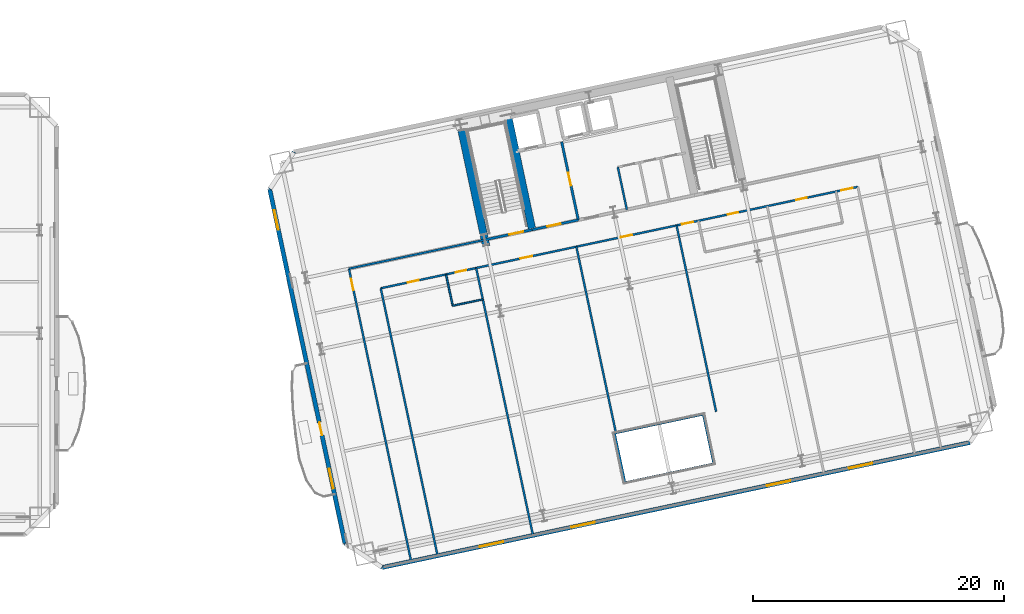
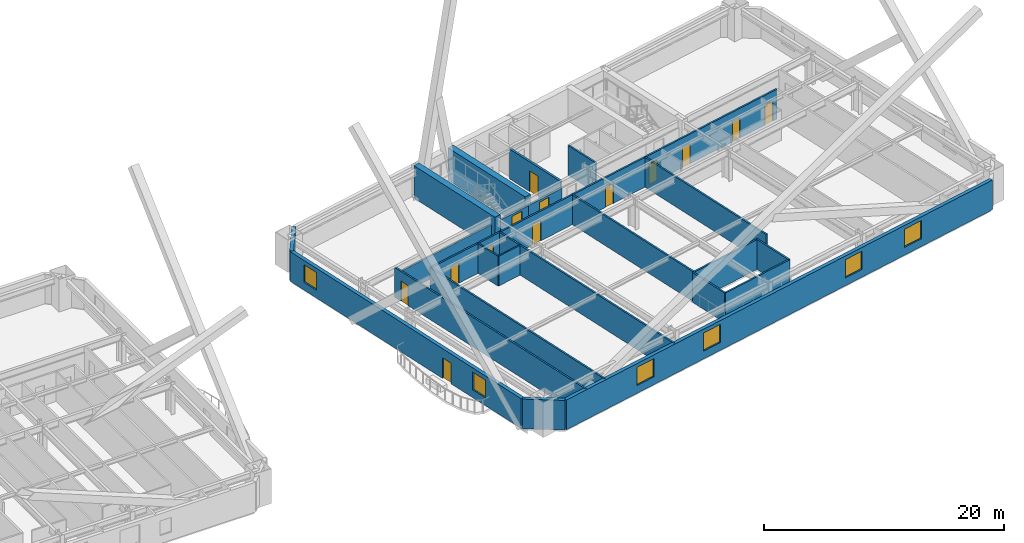
# One storey, part 10 of 20: 23 walls, 13 doors, 6 windows, 19 openings.
"""IFC4 building model written with IfcOpenShell, lengths in metres."""

import ifcopenshell
import ifcopenshell.guid

model = None  # the IFC model being written
_history = None  # IfcOwnerHistory: only IFC2X3 demands one
_inside = {}  # id of a spatial element -> (the spatial element, [elements in it])
_under = {}  # id of a project, library or spatial element -> (it, [spatial elements below it])
_declared = {}  # id of a project -> (the project, [libraries it declares])
_typed = {}  # id of a type object -> (the type object, [elements of that type])
_made_of = {}  # id of a material, layer set ... -> (it, [elements and type objects made of it])


def new_model(schema):
    """Start an empty IFC model of exactly this schema.

    Asked for "IFC4X3", IfcOpenShell would pick the latest addendum, in which some entities
    have other attributes; the version numbers below select the first issue.
    IFC2X3 requires an IfcOwnerHistory on every rooted entity: one is made here for all.
    """
    global model, _history
    if schema == "IFC4X3":
        model = ifcopenshell.file(schema_version=(4, 3, 0, 0))
    else:
        model = ifcopenshell.file(schema=schema)
    _inside.clear()
    _under.clear()
    _declared.clear()
    _typed.clear()
    _made_of.clear()
    _history = None
    if model.schema == "IFC2X3":
        org = make("IfcOrganization", Name="unknown")
        user = make(
            "IfcPersonAndOrganization",
            ThePerson=make("IfcPerson", FamilyName="unknown"),
            TheOrganization=org,
        )
        app = make(
            "IfcApplication",
            ApplicationDeveloper=org,
            Version="unknown",
            ApplicationFullName="unknown",
            ApplicationIdentifier="unknown",
        )
        _history = make(
            "IfcOwnerHistory",
            OwningUser=user,
            OwningApplication=app,
            ChangeAction="ADDED",
            CreationDate=0,
        )
    return model


def make(cls, **values):
    """One entity of the class cls with the attributes given. An attribute that is None is left unset."""
    return model.create_entity(
        cls, **{name: value for name, value in values.items() if value is not None}
    )


def rooted(cls, **values):
    """An entity with a GlobalId (a new one), such as an element, a storey or a relation."""
    return make(cls, GlobalId=ifcopenshell.guid.new(), OwnerHistory=_history, **values)


def si_unit(unit_type, name, prefix=None):
    """IfcSIUnit, for example si_unit("LENGTHUNIT", "METRE", prefix="MILLI")."""
    return make("IfcSIUnit", UnitType=unit_type, Prefix=prefix, Name=name)


def assignment(units):
    """IfcUnitAssignment: the units of a project."""
    return None if units is None else make("IfcUnitAssignment", Units=units)


def point(xyz):
    """IfcCartesianPoint."""
    return None if xyz is None else make("IfcCartesianPoint", Coordinates=xyz)


def direction(xyz):
    """IfcDirection."""
    return None if xyz is None else make("IfcDirection", DirectionRatios=xyz)


def frame(location, z_axis=None, x_axis=None):
    """IfcAxis2Placement3D, a coordinate frame: its origin and axes. An axis left out is left unset."""
    return make(
        "IfcAxis2Placement3D",
        Location=point(location),
        Axis=direction(z_axis),
        RefDirection=direction(x_axis),
    )


def frame_2d(location, x_axis=None):
    """IfcAxis2Placement2D, a coordinate frame in the plane: its origin and x axis."""
    return make(
        "IfcAxis2Placement2D", Location=point(location), RefDirection=direction(x_axis)
    )


def origin():
    """The frame at (0, 0, 0) with its axes left unset."""
    return frame((0.0, 0.0, 0.0))


def place(relative_to, where):
    """IfcLocalPlacement: puts the frame where relative to a parent placement (None: the world)."""
    return make(
        "IfcLocalPlacement", PlacementRelTo=relative_to, RelativePlacement=where
    )


def context(
    kind, dimensions, precision=None, world=None, true_north=None, identifier=None
):
    """IfcGeometricRepresentationContext, for example the 3D "Model" context."""
    return make(
        "IfcGeometricRepresentationContext",
        ContextIdentifier=identifier,
        ContextType=kind,
        CoordinateSpaceDimension=dimensions,
        Precision=precision,
        WorldCoordinateSystem=world,
        TrueNorth=true_north,
    )


def subcontext(parent, identifier, kind, view, scale=None):
    """IfcGeometricRepresentationSubContext, for example "Body" below "Model"."""
    return make(
        "IfcGeometricRepresentationSubContext",
        ContextIdentifier=identifier,
        ContextType=kind,
        ParentContext=parent,
        TargetScale=scale,
        TargetView=view,
    )


def project(units=None, contexts=None):
    """IfcProject with its units and contexts."""
    return rooted(
        "IfcProject",
        Name="project",
        RepresentationContexts=contexts,
        UnitsInContext=assignment(units),
    )


def spatial(cls, under=None, at=None, **own):
    """A site, building, storey or space (cls), placed at a placement, below another one or the project."""
    s = rooted(cls, ObjectPlacement=at, **own)
    if under is not None:
        _under.setdefault(under.id(), (under, []))[1].append(s)
    return s


def profile(cls, at=None, kind="AREA", **sizes):
    """A parametric profile (cls). Its sizes go by their IFC names, for example OverallWidth=200.0."""
    return make(cls, ProfileType=kind, Position=at, **sizes)


def rectangle(**sizes):
    """IfcRectangleProfileDef."""
    return profile("IfcRectangleProfileDef", **sizes)


def extrude(swept, where, along, depth):
    """IfcExtrudedAreaSolid: the profile swept, set in the frame where, extruded along a direction by depth."""
    return make(
        "IfcExtrudedAreaSolid",
        SweptArea=swept,
        Position=where,
        ExtrudedDirection=direction(along),
        Depth=depth,
    )


def shape(context_of_items, identifier, shape_type, items):
    """IfcShapeRepresentation: the items that make up one representation, for example the "Body"."""
    return make(
        "IfcShapeRepresentation",
        ContextOfItems=context_of_items,
        RepresentationIdentifier=identifier,
        RepresentationType=shape_type,
        Items=items,
    )


def material(Name=None, Category=None):
    """IfcMaterial."""
    return make("IfcMaterial", Name=Name, Category=Category)


def layer(
    of_material, thickness, ventilated=None, Name=None, Category=None, Priority=None
):
    """IfcMaterialLayer: one layer of a wall or slab, of a material (None: an air gap)."""
    return make(
        "IfcMaterialLayer",
        Material=of_material,
        LayerThickness=thickness,
        IsVentilated=ventilated,
        Name=Name,
        Category=Category,
        Priority=Priority,
    )


def layer_set(layers, Name=None):
    """IfcMaterialLayerSet."""
    return make("IfcMaterialLayerSet", MaterialLayers=layers, LayerSetName=Name)


def made_of(thing, what):
    """Note that an element or type object is made of a material, layer set ...; save() writes the relation."""
    if what is not None:
        _made_of.setdefault(what.id(), (what, []))[1].append(thing)
    return thing


def type_object(cls, material=None, **own):
    """A type object (cls), such as IfcWallType, which elements share."""
    return made_of(rooted(cls, **own), material)


def element(
    cls,
    number,
    at=None,
    inside=None,
    cuts=None,
    type_object=None,
    material=None,
    context=None,
    identifier="Body",
    shape_type=None,
    held_by="IfcProductDefinitionShape",
    body=None,
    shapes=None,
    **own,
):
    """One element of the class cls, such as IfcWall. Its Tag is "e" and its number.

    at: its placement. inside: the storey or other place that contains it. cuts: it is an
    opening in that element (IfcRelVoidsElement). A single representation is given by context,
    identifier, shape_type and body (its items); several are given by shapes. held_by: the class
    of the entity that holds the representations. save() writes the other relations.
    """
    e = rooted(cls, Tag="e%d" % number, ObjectPlacement=at, **own)
    if body is not None:
        shapes = [shape(context, identifier, shape_type, body)]
    if shapes is not None:
        e.Representation = make(held_by, Representations=shapes)
    if inside is not None:
        _inside.setdefault(inside.id(), (inside, []))[1].append(e)
    if cuts is not None:
        rooted(
            "IfcRelVoidsElement", RelatingBuildingElement=cuts, RelatedOpeningElement=e
        )
    if type_object is not None:
        _typed.setdefault(type_object.id(), (type_object, []))[1].append(e)
    return made_of(e, material)


def fill(opening, filler):
    """IfcRelFillsElement: the door or window that sits in an opening."""
    return rooted(
        "IfcRelFillsElement",
        RelatingOpeningElement=opening,
        RelatedBuildingElement=filler,
    )


def aggregate(whole, parts):
    """IfcRelAggregates: a whole, such as a stair, and the parts it consists of."""
    return rooted("IfcRelAggregates", RelatingObject=whole, RelatedObjects=parts)


def save(model, path):
    """Write the relations noted so far, then the file.

    IfcRelAggregates (storeys below a building ...), IfcRelContainedInSpatialStructure (elements
    in a storey), IfcRelDefinesByType, IfcRelAssociatesMaterial and IfcRelDeclares: one each for
    every whole, place, type object, material and project.
    """
    for whole, parts in _under.values():
        aggregate(whole, parts)
    for where, things in _inside.values():
        rooted(
            "IfcRelContainedInSpatialStructure",
            RelatedElements=things,
            RelatingStructure=where,
        )
    for kind, things in _typed.values():
        rooted("IfcRelDefinesByType", RelatedObjects=things, RelatingType=kind)
    for what, things in _made_of.values():
        rooted("IfcRelAssociatesMaterial", RelatedObjects=things, RelatingMaterial=what)
    for by, libraries in _declared.values():
        rooted("IfcRelDeclares", RelatingContext=by, RelatedDefinitions=libraries)
    model.write(path)


model = new_model("IFC4")

# Units and contexts
model_context = context("Model", 3, precision=1e-05, world=origin(), true_north=direction((0.0, 1.0)))
body_context = subcontext(model_context, "Body", "Model", "MODEL_VIEW")
ifc_project = project(units=[si_unit("LENGTHUNIT", "METRE"), si_unit("AREAUNIT", "SQUARE_METRE"), si_unit("VOLUMEUNIT", "CUBIC_METRE"), si_unit("PLANEANGLEUNIT", "RADIAN"), si_unit("MASSUNIT", "GRAM", prefix="KILO")], contexts=[model_context])

# Site, building, storey
site_placement = place(None, origin())
site = spatial("IfcSite", under=ifc_project, at=site_placement, CompositionType="ELEMENT")
building_placement = place(site_placement, origin())
building = spatial("IfcBuilding", under=site, at=building_placement, Name="Haevon Station Towers", CompositionType="ELEMENT")
storey_placement = place(building_placement, frame((0.0, 0.0, 30.60009765625)))
storey = spatial("IfcBuildingStorey", under=building, at=storey_placement, Name="L06", CompositionType="ELEMENT", Elevation=30.60009765625)

# Wall, opening, door
ifc_material_1 = material(Name="Gypsum board on steel stud", Category="steel")
ifc_layer_1 = layer(ifc_material_1, 0.199951171875)
ifc_layer_set_1 = layer_set([ifc_layer_1], Name="Gypsum board on steel stud")
wall_type_1 = type_object("IfcWallType", Name="WL-COR200", PredefinedType="PARTITIONING", material=ifc_layer_set_1)
wall_1_placement = place(storey_placement, frame((98.75244140625, 37.4423828125, 0.0), z_axis=(0.0, 0.0, 1.0), x_axis=(0.978143537786, 0.207930804564, 0.0)))
wall_1 = element("IfcWall", 1, at=wall_1_placement, inside=storey, type_object=wall_type_1, Name="WL-ST-ST3-L06", PredefinedType="PARTITIONING", context=body_context, shape_type="SweptSolid", body=[
    extrude(rectangle(XDim=3.85009765625, YDim=0.199951171875, at=frame_2d((1.925048828125, 0.0))), origin(), (0.0, 0.0, 1.0), 2.329833984375),
])
opening_1_placement = place(wall_1_placement, frame((2.0, 0.0, 0.0)))
opening_1 = element("IfcOpeningElement", 2, at=opening_1_placement, cuts=wall_1, Name="Opening DR-ST-ST3-L06", PredefinedType="OPENING", context=body_context, shape_type="SweptSolid", body=[
    extrude(rectangle(XDim=1.1201171875, YDim=2.10009765625, at=frame_2d((0.56005859375, 1.050048828125))), frame((0.0, 0.10986328125, 0.0), z_axis=(0.0, -1.0, 0.0), x_axis=(1.0, 0.0, 0.0)), (0.0, 0.0, 1.0), 0.219970703125),
])
ifc_material_2 = material(Name="Engineered oak timber", Category="wood")
door_type_1 = type_object("IfcDoorType", Name="DR-ST-1120", OperationType="NOTDEFINED", PredefinedType="DOOR", material=ifc_material_2)
door_1_placement = place(opening_1_placement, origin())
door_1 = element("IfcDoor", 3, at=door_1_placement, inside=storey, type_object=door_type_1, Name="L06 Escape Stair ST3 Fire Door", OperationType="SINGLE_SWING_LEFT", OverallHeight=2.10009765625, OverallWidth=1.1201171875, PredefinedType="DOOR", context=body_context, shape_type="SweptSolid", body=[
    extrude(rectangle(XDim=1.1201171875, YDim=2.10009765625, at=frame_2d((0.56005859375, 1.050048828125))), frame((0.0, 0.02490234375, 0.0), z_axis=(0.0, -1.0, 0.0), x_axis=(1.0, 0.0, 0.0)), (0.0, 0.0, 1.0), 0.050048828125),
])
fill(opening_1, door_1)

wall_2_placement = place(storey_placement, frame((106.186279296875, 39.0224609375, 0.0), z_axis=(0.0, 0.0, 1.0), x_axis=(-0.207916691923, 0.978146537703, 0.0)))
wall_2 = element("IfcWall", 4, at=wall_2_placement, inside=storey, type_object=wall_type_1, Name="WL-T2FFL-L06-E", PredefinedType="PARTITIONING", context=body_context, shape_type="SweptSolid", body=[
    extrude(rectangle(XDim=6.35009765625, YDim=0.199951171875, at=frame_2d((3.175048828125, 0.0))), origin(), (0.0, 0.0, 1.0), 3.02978515625),
])
opening_2_placement = place(wall_2_placement, frame((2.800048828125, 0.0, 0.0)))
opening_2 = element("IfcOpeningElement", 5, at=opening_2_placement, cuts=wall_2, Name="Opening DR-T2FFL-L06-E", PredefinedType="OPENING", context=body_context, shape_type="SweptSolid", body=[
    extrude(rectangle(XDim=1.050048828125, YDim=2.10009765625, at=frame_2d((0.52490234375, 1.050048828125))), frame((0.0, 0.10986328125, 0.0), z_axis=(0.0, -1.0, 0.0), x_axis=(1.0, 0.0, 0.0)), (0.0, 0.0, 1.0), 0.219970703125),
])
door_type_2 = type_object("IfcDoorType", Name="DR-FD60-1050", OperationType="NOTDEFINED", PredefinedType="DOOR", material=ifc_material_2)
door_2_placement = place(opening_2_placement, origin())
door_2 = element("IfcDoor", 6, at=door_2_placement, inside=storey, type_object=door_type_2, Name="L06 Tower 2 Firefighting Lift Lobby Door E", OperationType="SINGLE_SWING_LEFT", OverallHeight=2.10009765625, OverallWidth=1.050048828125, PredefinedType="DOOR", context=body_context, shape_type="SweptSolid", body=[
    extrude(rectangle(XDim=1.050048828125, YDim=2.10009765625, at=frame_2d((0.52490234375, 1.050048828125))), frame((0.0, 0.02490234375, 0.0), z_axis=(0.0, -1.0, 0.0), x_axis=(1.0, 0.0, 0.0)), (0.0, 0.0, 1.0), 0.050048828125),
])
fill(opening_2, door_2)

wall_3_placement = place(storey_placement, frame((102.518310546875, 38.242919921875, 0.0), z_axis=(0.0, 0.0, 1.0), x_axis=(0.978153555683, 0.20788367301, 0.0)))
wall_3 = element("IfcWall", 7, at=wall_3_placement, inside=storey, type_object=wall_type_1, Name="WL-T2FFL-L06-S", PredefinedType="PARTITIONING", context=body_context, shape_type="SweptSolid", body=[
    extrude(rectangle(XDim=3.75, YDim=0.199951171875, at=frame_2d((1.875, 0.0))), origin(), (0.0, 0.0, 1.0), 2.329833984375),
])
opening_3_placement = place(wall_3_placement, frame((1.25, 0.0, 0.0)))
opening_3 = element("IfcOpeningElement", 8, at=opening_3_placement, cuts=wall_3, Name="Opening DR-T2FFL-L06-S", PredefinedType="OPENING", context=body_context, shape_type="SweptSolid", body=[
    extrude(rectangle(XDim=1.050048828125, YDim=2.10009765625, at=frame_2d((0.52490234375, 1.050048828125))), frame((0.0, 0.10986328125, 0.0), z_axis=(0.0, -1.0, 0.0), x_axis=(1.0, 0.0, 0.0)), (0.0, 0.0, 1.0), 0.219970703125),
])
door_3_placement = place(opening_3_placement, origin())
door_3 = element("IfcDoor", 9, at=door_3_placement, inside=storey, type_object=door_type_2, Name="L06 Tower 2 Firefighting Lift Lobby Door S", OperationType="SINGLE_SWING_RIGHT", OverallHeight=2.10009765625, OverallWidth=1.050048828125, PredefinedType="DOOR", context=body_context, shape_type="SweptSolid", body=[
    extrude(rectangle(XDim=1.050048828125, YDim=2.10009765625, at=frame_2d((0.52490234375, 1.050048828125))), frame((0.0, 0.02490234375, 0.0), z_axis=(0.0, -1.0, 0.0), x_axis=(1.0, 0.0, 0.0)), (0.0, 0.0, 1.0), 0.050048828125),
])
fill(opening_3, door_3)

# Walls
ifc_material_3 = material(Name="Concrete C60/75", Category="concrete")
ifc_layer_2 = layer(ifc_material_3, 0.60009765625)
ifc_layer_set_2 = layer_set([ifc_layer_2], Name="Concrete C60/75")
wall_type_2 = type_object("IfcWallType", Name="WL-CR600", PredefinedType="SHEAR", material=ifc_layer_set_2)
wall_4_placement = place(storey_placement, frame((98.8603515625, 36.933837890625, 0.0), z_axis=(0.0, 0.0, 1.0), x_axis=(-0.20790924889, 0.978148119778, 0.0)))
element("IfcWall", 10, at=wall_4_placement, inside=storey, type_object=wall_type_2, Name="WL-T2CR-L06-W", PredefinedType="SHEAR", context=body_context, shape_type="SweptSolid", body=[
    extrude(rectangle(XDim=10.119873046875, YDim=0.60009765625, at=frame_2d((5.06005859375, 0.0))), origin(), (0.0, 0.0, 1.0), 3.2998046875),
])
wall_5_placement = place(storey_placement, frame((102.518310546875, 38.242919921875, 0.0), z_axis=(0.0, 0.0, 1.0), x_axis=(-0.207927495108, 0.978144241295, 0.0)))
element("IfcWall", 11, at=wall_5_placement, inside=storey, type_object=wall_type_2, Name="WL-T2CR-L06-M1", PredefinedType="SHEAR", context=body_context, shape_type="SweptSolid", body=[
    extrude(rectangle(XDim=9.599853515625, YDim=0.60009765625, at=frame_2d((4.7998046875, 0.0))), origin(), (0.0, 0.0, 1.0), 3.2998046875),
])

# Wall, openings, windows
ifc_material_4 = material(Name="Precast concrete C45/55", Category="concrete")
ifc_layer_3 = layer(ifc_material_4, 0.340087890625)
ifc_layer_set_3 = layer_set([ifc_layer_3], Name="Precast concrete C45/55")
wall_type_3 = type_object("IfcWallType", Name="WL-EXT-PIER340", PredefinedType="SOLIDWALL", material=ifc_layer_set_3)
wall_6_placement = place(storey_placement, frame((137.348876953125, 21.314697265625, 0.0), z_axis=(0.0, 0.0, 1.0), x_axis=(-0.97814729652, -0.207913122027, 0.0)))
wall_6 = element("IfcWall", 12, at=wall_6_placement, inside=storey, type_object=wall_type_3, Name="WL-T2-L06-S", PredefinedType="SOLIDWALL", context=body_context, shape_type="SweptSolid", body=[
    extrude(rectangle(XDim=47.800048828125, YDim=0.340087890625, at=frame_2d((23.89990234375, 0.0))), origin(), (0.0, 0.0, 1.0), 3.02978515625),
])
opening_4_placement = place(wall_6_placement, frame((37.9599609375, 0.0, 0.800048828125)))
opening_4 = element("IfcOpeningElement", 13, at=opening_4_placement, cuts=wall_6, Name="Opening WN-P190", PredefinedType="OPENING", context=body_context, shape_type="SweptSolid", body=[
    extrude(rectangle(XDim=1.89990234375, YDim=1.85009765625, at=frame_2d((0.949951171875, 0.925048828125))), frame((0.0, 0.179931640625, 0.0), z_axis=(0.0, -1.0, 0.0), x_axis=(1.0, 0.0, 0.0)), (0.0, 0.0, 1.0), 0.360107421875),
])
opening_5_placement = place(wall_6_placement, frame((30.51611328125, 0.0, 0.800048828125)))
opening_5 = element("IfcOpeningElement", 14, at=opening_5_placement, cuts=wall_6, Name="Opening WN-P190", PredefinedType="OPENING", context=body_context, shape_type="SweptSolid", body=[
    extrude(rectangle(XDim=1.89990234375, YDim=1.85009765625, at=frame_2d((0.949951171875, 0.925048828125))), frame((0.0, 0.179931640625, 0.0), z_axis=(0.0, -1.0, 0.0), x_axis=(1.0, 0.0, 0.0)), (0.0, 0.0, 1.0), 0.360107421875),
])
opening_6_placement = place(wall_6_placement, frame((14.60791015625, 0.0, 0.800048828125)))
opening_6 = element("IfcOpeningElement", 15, at=opening_6_placement, cuts=wall_6, Name="Opening WN-P190", PredefinedType="OPENING", context=body_context, shape_type="SweptSolid", body=[
    extrude(rectangle(XDim=1.89990234375, YDim=1.85009765625, at=frame_2d((0.949951171875, 0.925048828125))), frame((0.0, 0.179931640625, 0.0), z_axis=(0.0, -1.0, 0.0), x_axis=(1.0, 0.0, 0.0)), (0.0, 0.0, 1.0), 0.360107421875),
])
opening_7_placement = place(wall_6_placement, frame((7.94287109375, 0.0, 0.800048828125)))
opening_7 = element("IfcOpeningElement", 16, at=opening_7_placement, cuts=wall_6, Name="Opening WN-P190", PredefinedType="OPENING", context=body_context, shape_type="SweptSolid", body=[
    extrude(rectangle(XDim=1.89990234375, YDim=1.85009765625, at=frame_2d((0.949951171875, 0.925048828125))), frame((0.0, 0.179931640625, 0.0), z_axis=(0.0, -1.0, 0.0), x_axis=(1.0, 0.0, 0.0)), (0.0, 0.0, 1.0), 0.360107421875),
])
ifc_material_5 = material(Name="Low-E triple glazing in thermally broken aluminium", Category="aluminium")
window_type_1 = type_object("IfcWindowType", Name="WN-P190", PartitioningType="SINGLE_PANEL", PredefinedType="WINDOW", material=ifc_material_5)
window_1_placement = place(opening_4_placement, origin())
window_1 = element("IfcWindow", 17, at=window_1_placement, inside=storey, type_object=window_type_1, Name="WN-T2-L06-S01", OverallHeight=1.85009765625, OverallWidth=1.89990234375, PartitioningType="SINGLE_PANEL", PredefinedType="WINDOW", context=body_context, shape_type="SweptSolid", body=[
    extrude(rectangle(XDim=1.89990234375, YDim=1.85009765625, at=frame_2d((0.949951171875, 0.925048828125))), frame((0.0, 0.030029296875, 0.0), z_axis=(0.0, -1.0, 0.0), x_axis=(1.0, 0.0, 0.0)), (0.0, 0.0, 1.0), 0.06005859375),
])
fill(opening_4, window_1)
window_2_placement = place(opening_5_placement, origin())
window_2 = element("IfcWindow", 18, at=window_2_placement, inside=storey, type_object=window_type_1, Name="WN-T2-L06-S02", OverallHeight=1.85009765625, OverallWidth=1.89990234375, PartitioningType="SINGLE_PANEL", PredefinedType="WINDOW", context=body_context, shape_type="SweptSolid", body=[
    extrude(rectangle(XDim=1.89990234375, YDim=1.85009765625, at=frame_2d((0.949951171875, 0.925048828125))), frame((0.0, 0.030029296875, 0.0), z_axis=(0.0, -1.0, 0.0), x_axis=(1.0, 0.0, 0.0)), (0.0, 0.0, 1.0), 0.06005859375),
])
fill(opening_5, window_2)
window_3_placement = place(opening_6_placement, origin())
window_3 = element("IfcWindow", 19, at=window_3_placement, inside=storey, type_object=window_type_1, Name="WN-T2-L06-S03", OverallHeight=1.85009765625, OverallWidth=1.89990234375, PartitioningType="SINGLE_PANEL", PredefinedType="WINDOW", context=body_context, shape_type="SweptSolid", body=[
    extrude(rectangle(XDim=1.89990234375, YDim=1.85009765625, at=frame_2d((0.949951171875, 0.925048828125))), frame((0.0, 0.030029296875, 0.0), z_axis=(0.0, -1.0, 0.0), x_axis=(1.0, 0.0, 0.0)), (0.0, 0.0, 1.0), 0.06005859375),
])
fill(opening_6, window_3)
window_4_placement = place(opening_7_placement, origin())
window_4 = element("IfcWindow", 20, at=window_4_placement, inside=storey, type_object=window_type_1, Name="WN-T2-L06-S04", OverallHeight=1.85009765625, OverallWidth=1.89990234375, PartitioningType="SINGLE_PANEL", PredefinedType="WINDOW", context=body_context, shape_type="SweptSolid", body=[
    extrude(rectangle(XDim=1.89990234375, YDim=1.85009765625, at=frame_2d((0.949951171875, 0.925048828125))), frame((0.0, 0.030029296875, 0.0), z_axis=(0.0, -1.0, 0.0), x_axis=(1.0, 0.0, 0.0)), (0.0, 0.0, 1.0), 0.06005859375),
])
fill(opening_7, window_4)

# Wall
wall_7_placement = place(storey_placement, frame((90.593505859375, 11.37646484375, 0.0), z_axis=(0.0, 0.0, 1.0), x_axis=(-0.838672309694, 0.544636352948, 0.0)))
element("IfcWall", 21, at=wall_7_placement, inside=storey, type_object=wall_type_3, Name="WL-T2-L06-SWC", PredefinedType="SOLIDWALL", context=body_context, shape_type="SweptSolid", body=[
    extrude(rectangle(XDim=3.535400390625, YDim=0.340087890625, at=frame_2d((1.767578125, 0.0))), origin(), (0.0, 0.0, 1.0), 3.02978515625),
])

# Wall, openings, door, windows
wall_8_placement = place(storey_placement, frame((87.62841796875, 13.302001953125, 0.0), z_axis=(0.0, 0.0, 1.0), x_axis=(-0.207917660404, 0.97814633184, 0.0)))
wall_8 = element("IfcWall", 22, at=wall_8_placement, inside=storey, type_object=wall_type_3, Name="WL-T2-L06-W", PredefinedType="SOLIDWALL", context=body_context, shape_type="SweptSolid", body=[
    extrude(rectangle(XDim=28.800048828125, YDim=0.340087890625, at=frame_2d((14.39990234375, 0.0))), origin(), (0.0, 0.0, 1.0), 3.02978515625),
])
opening_8_placement = place(wall_8_placement, frame((8.77490234375, 0.0, 0.0)))
opening_8 = element("IfcOpeningElement", 23, at=opening_8_placement, cuts=wall_8, Name="Opening DR-T2-SCAL-L06-W", PredefinedType="OPENING", context=body_context, shape_type="SweptSolid", body=[
    extrude(rectangle(XDim=1.050048828125, YDim=2.10009765625, at=frame_2d((0.52490234375, 1.050048828125))), frame((0.0, 0.179931640625, 0.0), z_axis=(0.0, -1.0, 0.0), x_axis=(1.0, 0.0, 0.0)), (0.0, 0.0, 1.0), 0.360107421875),
])
opening_9_placement = place(wall_8_placement, frame((4.45703125, 0.0, 0.800048828125)))
opening_9 = element("IfcOpeningElement", 24, at=opening_9_placement, cuts=wall_8, Name="Opening WN-END160", PredefinedType="OPENING", context=body_context, shape_type="SweptSolid", body=[
    extrude(rectangle(XDim=1.60009765625, YDim=1.800048828125, at=frame_2d((0.800048828125, 0.89990234375))), frame((0.0, 0.179931640625, 0.0), z_axis=(0.0, -1.0, 0.0), x_axis=(1.0, 0.0, 0.0)), (0.0, 0.0, 1.0), 0.360107421875),
])
opening_10_placement = place(wall_8_placement, frame((25.485595703125, 0.0, 0.800048828125)))
opening_10 = element("IfcOpeningElement", 25, at=opening_10_placement, cuts=wall_8, Name="Opening WN-END160", PredefinedType="OPENING", context=body_context, shape_type="SweptSolid", body=[
    extrude(rectangle(XDim=1.60009765625, YDim=1.800048828125, at=frame_2d((0.800048828125, 0.89990234375))), frame((0.0, 0.179931640625, 0.0), z_axis=(0.0, -1.0, 0.0), x_axis=(1.0, 0.0, 0.0)), (0.0, 0.0, 1.0), 0.360107421875),
])
ifc_material_6 = material(Name="Thermally broken anodised aluminium and laminated safety glass", Category="aluminium")
door_type_3 = type_object("IfcDoorType", Name="DR-BALC-1050", OperationType="NOTDEFINED", PredefinedType="DOOR", material=ifc_material_6)
door_4_placement = place(opening_8_placement, origin())
door_4 = element("IfcDoor", 26, at=door_4_placement, inside=storey, type_object=door_type_3, Name="Tower 2 L06 West Scalloped Balcony Door", OperationType="SINGLE_SWING_LEFT", OverallHeight=2.10009765625, OverallWidth=1.050048828125, PredefinedType="DOOR", context=body_context, shape_type="SweptSolid", body=[
    extrude(rectangle(XDim=1.050048828125, YDim=2.10009765625, at=frame_2d((0.52490234375, 1.050048828125))), frame((0.0, 0.02490234375, 0.0), z_axis=(0.0, -1.0, 0.0), x_axis=(1.0, 0.0, 0.0)), (0.0, 0.0, 1.0), 0.050048828125),
])
fill(opening_8, door_4)
window_type_2 = type_object("IfcWindowType", Name="WN-END160", PartitioningType="SINGLE_PANEL", PredefinedType="WINDOW", material=ifc_material_5)
window_5_placement = place(opening_9_placement, origin())
window_5 = element("IfcWindow", 27, at=window_5_placement, inside=storey, type_object=window_type_2, Name="WN-T2-L06-W01", OverallHeight=1.800048828125, OverallWidth=1.60009765625, PartitioningType="SINGLE_PANEL", PredefinedType="WINDOW", context=body_context, shape_type="SweptSolid", body=[
    extrude(rectangle(XDim=1.60009765625, YDim=1.800048828125, at=frame_2d((0.800048828125, 0.89990234375))), frame((0.0, 0.030029296875, 0.0), z_axis=(0.0, -1.0, 0.0), x_axis=(1.0, 0.0, 0.0)), (0.0, 0.0, 1.0), 0.06005859375),
])
fill(opening_9, window_5)
window_6_placement = place(opening_10_placement, origin())
window_6 = element("IfcWindow", 28, at=window_6_placement, inside=storey, type_object=window_type_2, Name="WN-T2-L06-W02", OverallHeight=1.800048828125, OverallWidth=1.60009765625, PartitioningType="SINGLE_PANEL", PredefinedType="WINDOW", context=body_context, shape_type="SweptSolid", body=[
    extrude(rectangle(XDim=1.60009765625, YDim=1.800048828125, at=frame_2d((0.800048828125, 0.89990234375))), frame((0.0, 0.030029296875, 0.0), z_axis=(0.0, -1.0, 0.0), x_axis=(1.0, 0.0, 0.0)), (0.0, 0.0, 1.0), 0.06005859375),
])
fill(opening_10, window_6)

# Walls
wall_9_placement = place(storey_placement, frame((81.640380859375, 41.47265625, 0.0), z_axis=(0.0, 0.0, 1.0), x_axis=(0.544653380146, 0.838661251934, 0.0)))
element("IfcWall", 29, at=wall_9_placement, inside=storey, type_object=wall_type_3, Name="WL-T2-L06-NWC", PredefinedType="SOLIDWALL", context=body_context, shape_type="SweptSolid", body=[
    extrude(rectangle(XDim=3.535888671875, YDim=0.340087890625, at=frame_2d((1.76806640625, 0.0))), origin(), (0.0, 0.0, 1.0), 3.02978515625),
])
ifc_layer_4 = layer(ifc_material_1, 0.125)
ifc_layer_set_4 = layer_set([ifc_layer_4], Name="Gypsum board on steel stud")
wall_type_4 = type_object("IfcWallType", Name="WL-PRT125", PredefinedType="PARTITIONING", material=ifc_layer_set_4)
wall_10_placement = place(storey_placement, frame((96.197265625, 32.196533203125, 0.0), z_axis=(0.0, 0.0, 1.0), x_axis=(0.978156824814, 0.207868290196, 0.0)))
element("IfcWall", 30, at=wall_10_placement, inside=storey, type_object=wall_type_4, Name="WL-T2PT-L06-11", PredefinedType="PARTITIONING", context=body_context, shape_type="SweptSolid", body=[
    extrude(rectangle(XDim=2.449951171875, YDim=0.125, at=frame_2d((1.22509765625, 0.0))), origin(), (0.0, 0.0, 1.0), 3.02978515625),
])
ifc_layer_5 = layer(ifc_material_1, 0.139892578125)
ifc_layer_set_5 = layer_set([ifc_layer_5], Name="Gypsum board on steel stud")
wall_type_5 = type_object("IfcWallType", Name="WL-PRT140", PredefinedType="PARTITIONING", material=ifc_layer_set_5)
wall_11_placement = place(storey_placement, frame((96.197265625, 32.196533203125, 0.0), z_axis=(0.0, 0.0, 1.0), x_axis=(-0.207940050407, 0.978141572287, 0.0)))
element("IfcWall", 31, at=wall_11_placement, inside=storey, type_object=wall_type_5, Name="WL-T2PT-L06-12", PredefinedType="PARTITIONING", context=body_context, shape_type="SweptSolid", body=[
    extrude(rectangle(XDim=2.550048828125, YDim=0.139892578125, at=frame_2d((1.27490234375, 0.0))), origin(), (0.0, 0.0, 1.0), 3.02978515625),
])
ifc_layer_6 = layer(ifc_material_1, 0.159912109375)
ifc_layer_set_6 = layer_set([ifc_layer_6], Name="Gypsum board on steel stud")
wall_type_6 = type_object("IfcWallType", Name="WL-PRT160", PredefinedType="PARTITIONING", material=ifc_layer_set_6)
wall_12_placement = place(storey_placement, frame((110.050048828125, 39.84375, 0.0), z_axis=(0.0, 0.0, 1.0), x_axis=(-0.207900225061, 0.978150037785, 0.0)))
element("IfcWall", 32, at=wall_12_placement, inside=storey, type_object=wall_type_6, Name="WL-T2CW-L06-01", PredefinedType="PARTITIONING", context=body_context, shape_type="SweptSolid", body=[
    extrude(rectangle(XDim=3.4501953125, YDim=0.159912109375, at=frame_2d((1.72509765625, 0.0))), origin(), (0.0, 0.0, 1.0), 3.02978515625),
])
wall_13_placement = place(storey_placement, frame((94.9951171875, 12.31201171875, 0.0), z_axis=(0.0, 0.0, 1.0), x_axis=(-0.207905205228, 0.978148979266, 0.0)))
element("IfcWall", 33, at=wall_13_placement, inside=storey, type_object=wall_type_6, Name="WL-T2PT-L06-01", PredefinedType="PARTITIONING", context=body_context, shape_type="SweptSolid", body=[
    extrude(rectangle(XDim=21.750244140625, YDim=0.159912109375, at=frame_2d((10.875, 0.0))), origin(), (0.0, 0.0, 1.0), 3.02978515625),
])
wall_14_placement = place(storey_placement, frame((87.94384765625, 35.14501953125, 0.0), z_axis=(0.0, 0.0, 1.0), x_axis=(0.978148967098, 0.207905262477, 0.0)))
element("IfcWall", 34, at=wall_14_placement, inside=storey, type_object=wall_type_6, Name="WL-T2PT-L06-03", PredefinedType="PARTITIONING", context=body_context, shape_type="SweptSolid", body=[
    extrude(rectangle(XDim=11.050048828125, YDim=0.159912109375, at=frame_2d((5.52490234375, 0.0))), origin(), (0.0, 0.0, 1.0), 2.329833984375),
])

# Wall, opening, door
wall_15_placement = place(storey_placement, frame((92.89208984375, 11.864990234375, 0.0), z_axis=(0.0, 0.0, 1.0), x_axis=(-0.207908442811, 0.978148291113, 0.0)))
wall_15 = element("IfcWall", 35, at=wall_15_placement, inside=storey, type_object=wall_type_6, Name="WL-T2PT-L06-05", PredefinedType="PARTITIONING", context=body_context, shape_type="SweptSolid", body=[
    extrude(rectangle(XDim=23.800048828125, YDim=0.159912109375, at=frame_2d((11.89990234375, 0.0))), origin(), (0.0, 0.0, 1.0), 3.02978515625),
])
opening_11_placement = place(wall_15_placement, frame((22.070068359375, 0.0, 0.0)))
opening_11 = element("IfcOpeningElement", 36, at=opening_11_placement, cuts=wall_15, Name="Opening DR-WL-T2PT-L06-05-01", PredefinedType="OPENING", context=body_context, shape_type="SweptSolid", body=[
    extrude(rectangle(XDim=0.89990234375, YDim=2.050048828125, at=frame_2d((0.449951171875, 1.02490234375))), frame((0.0, 0.08984375, 0.0), z_axis=(0.0, -1.0, 0.0), x_axis=(1.0, 0.0, 0.0)), (0.0, 0.0, 1.0), 0.179931640625),
])
door_type_4 = type_object("IfcDoorType", Name="DR-INT-900", OperationType="NOTDEFINED", PredefinedType="DOOR", material=ifc_material_2)
door_5_placement = place(opening_11_placement, origin())
door_5 = element("IfcDoor", 37, at=door_5_placement, inside=storey, type_object=door_type_4, Name="L06 Tower 2 Room Door 5-1", OperationType="SINGLE_SWING_RIGHT", OverallHeight=2.050048828125, OverallWidth=0.89990234375, PredefinedType="DOOR", context=body_context, shape_type="SweptSolid", body=[
    extrude(rectangle(XDim=0.89990234375, YDim=2.050048828125, at=frame_2d((0.449951171875, 1.02490234375))), frame((0.0, 0.02490234375, 0.0), z_axis=(0.0, -1.0, 0.0), x_axis=(1.0, 0.0, 0.0)), (0.0, 0.0, 1.0), 0.050048828125),
])
fill(opening_11, door_5)

# Walls
for number, where, z_axis, x_axis, name in (
    (38, (109.9091796875, 18.140380859375, 0.0), (0.0, 0.0, 1.0), (0.978151869997, 0.207891604498, 0.0), "WL-T2PT-L06-07"),
    (39, (109.07763671875, 22.052978515625, 0.0), (0.0, 0.0, 1.0), (0.978151869997, 0.207891604498, 0.0), "WL-T2PT-L06-08"),
):
    element("IfcWall", number, at=place(storey_placement, frame(where, z_axis=z_axis, x_axis=x_axis)), inside=storey, type_object=wall_type_6, Name=name, PredefinedType="PARTITIONING", context=body_context, shape_type="SweptSolid", body=[
        extrude(rectangle(XDim=7.199951171875, YDim=0.159912109375, at=frame_2d((3.60009765625, 0.0))), origin(), (0.0, 0.0, 1.0), 3.02978515625),
    ])
for number, where, z_axis, x_axis, name in (
    (40, (109.9091796875, 18.140380859375, 0.0), (0.0, 0.0, 1.0), (-0.207886494942, 0.978152955943, 0.0), "WL-T2PT-L06-09"),
    (41, (116.951904296875, 19.63720703125, 0.0), (0.0, 0.0, 1.0), (-0.207886494942, 0.978152955943, 0.0), "WL-T2PT-L06-10"),
):
    element("IfcWall", number, at=place(storey_placement, frame(where, z_axis=z_axis, x_axis=x_axis)), inside=storey, type_object=wall_type_6, Name=name, PredefinedType="PARTITIONING", context=body_context, shape_type="SweptSolid", body=[
        extrude(rectangle(XDim=4.0, YDim=0.159912109375, at=frame_2d((2.0, 0.0))), origin(), (0.0, 0.0, 1.0), 3.02978515625),
    ])
wall_16_placement = place(storey_placement, frame((102.58544921875, 13.925537109375, 0.0), z_axis=(0.0, 0.0, 1.0), x_axis=(-0.207907487947, 0.978148494072, 0.0)))
element("IfcWall", 42, at=wall_16_placement, inside=storey, type_object=wall_type_6, Name="WL-T2PT-L06-13", PredefinedType="PARTITIONING", context=body_context, shape_type="SweptSolid", body=[
    extrude(rectangle(XDim=21.75, YDim=0.159912109375, at=frame_2d((10.875, 0.0))), origin(), (0.0, 0.0, 1.0), 3.02978515625),
])
for number, where, z_axis, x_axis, name in (
    (43, (109.183349609375, 22.0751953125, 0.0), (0.0, 0.0, 1.0), (-0.207912142001, 0.978147504832, 0.0), "WL-T2PT-L06-14"),
    (44, (117.1533203125, 23.769287109375, 0.0), (0.0, 0.0, 1.0), (-0.207912142001, 0.978147504832, 0.0), "WL-T2PT-L06-15"),
):
    element("IfcWall", number, at=place(storey_placement, frame(where, z_axis=z_axis, x_axis=x_axis)), inside=storey, type_object=wall_type_6, Name=name, PredefinedType="PARTITIONING", context=body_context, shape_type="SweptSolid", body=[
        extrude(rectangle(XDim=15.150146484375, YDim=0.159912109375, at=frame_2d((7.5751953125, 0.0))), origin(), (0.0, 0.0, 1.0), 3.02978515625),
    ])

# Wall, openings, doors
wall_17_placement = place(storey_placement, frame((90.47314453125, 33.5869140625, 0.0), z_axis=(0.0, 0.0, 1.0), x_axis=(0.978148039172, 0.207909628119, 0.0)))
wall_17 = element("IfcWall", 45, at=wall_17_placement, inside=storey, type_object=wall_type_6, Name="WL-T2PT-L06-22", PredefinedType="PARTITIONING", context=body_context, shape_type="SweptSolid", body=[
    extrude(rectangle(XDim=38.800048828125, YDim=0.159912109375, at=frame_2d((19.39990234375, 0.0))), origin(), (0.0, 0.0, 1.0), 3.02978515625),
])
opening_12_placement = place(wall_17_placement, frame((6.110107421875, 0.0, 0.0)))
opening_12 = element("IfcOpeningElement", 46, at=opening_12_placement, cuts=wall_17, Name="Opening DR-WL-T2PT-L06-22-01", PredefinedType="OPENING", context=body_context, shape_type="SweptSolid", body=[
    extrude(rectangle(XDim=0.85009765625, YDim=2.050048828125, at=frame_2d((0.425048828125, 1.02490234375))), frame((0.0, 0.08984375, 0.0), z_axis=(0.0, -1.0, 0.0), x_axis=(1.0, 0.0, 0.0)), (0.0, 0.0, 1.0), 0.179931640625),
])
opening_13_placement = place(wall_17_placement, frame((2.205078125, 0.0, 0.0)))
opening_13 = element("IfcOpeningElement", 47, at=opening_13_placement, cuts=wall_17, Name="Opening DR-WL-T2PT-L06-22-02", PredefinedType="OPENING", context=body_context, shape_type="SweptSolid", body=[
    extrude(rectangle(XDim=0.89990234375, YDim=2.050048828125, at=frame_2d((0.449951171875, 1.02490234375))), frame((0.0, 0.08984375, 0.0), z_axis=(0.0, -1.0, 0.0), x_axis=(1.0, 0.0, 0.0)), (0.0, 0.0, 1.0), 0.179931640625),
])
opening_14_placement = place(wall_17_placement, frame((11.35888671875, 0.0, 0.0)))
opening_14 = element("IfcOpeningElement", 48, at=opening_14_placement, cuts=wall_17, Name="Opening DR-WL-T2PT-L06-22-03", PredefinedType="OPENING", context=body_context, shape_type="SweptSolid", body=[
    extrude(rectangle(XDim=0.949951171875, YDim=2.10009765625, at=frame_2d((0.47509765625, 1.050048828125))), frame((0.0, 0.08984375, 0.0), z_axis=(0.0, -1.0, 0.0), x_axis=(1.0, 0.0, 0.0)), (0.0, 0.0, 1.0), 0.179931640625),
])
opening_15_placement = place(wall_17_placement, frame((19.531982421875, 0.0, 0.0)))
opening_15 = element("IfcOpeningElement", 49, at=opening_15_placement, cuts=wall_17, Name="Opening DR-WL-T2PT-L06-22-04", PredefinedType="OPENING", context=body_context, shape_type="SweptSolid", body=[
    extrude(rectangle(XDim=0.89990234375, YDim=2.050048828125, at=frame_2d((0.449951171875, 1.02490234375))), frame((0.0, 0.08984375, 0.0), z_axis=(0.0, -1.0, 0.0), x_axis=(1.0, 0.0, 0.0)), (0.0, 0.0, 1.0), 0.179931640625),
])
opening_16_placement = place(wall_17_placement, frame((28.20703125, 0.0, 0.0)))
opening_16 = element("IfcOpeningElement", 50, at=opening_16_placement, cuts=wall_17, Name="Opening DR-WL-T2PT-L06-22-05", PredefinedType="OPENING", context=body_context, shape_type="SweptSolid", body=[
    extrude(rectangle(XDim=0.85009765625, YDim=2.050048828125, at=frame_2d((0.425048828125, 1.02490234375))), frame((0.0, 0.08984375, 0.0), z_axis=(0.0, -1.0, 0.0), x_axis=(1.0, 0.0, 0.0)), (0.0, 0.0, 1.0), 0.179931640625),
])
opening_17_placement = place(wall_17_placement, frame((24.49609375, 0.0, 0.0)))
opening_17 = element("IfcOpeningElement", 51, at=opening_17_placement, cuts=wall_17, Name="Opening DR-WL-T2PT-L06-22-06", PredefinedType="OPENING", context=body_context, shape_type="SweptSolid", body=[
    extrude(rectangle(XDim=0.89990234375, YDim=2.050048828125, at=frame_2d((0.449951171875, 1.02490234375))), frame((0.0, 0.08984375, 0.0), z_axis=(0.0, -1.0, 0.0), x_axis=(1.0, 0.0, 0.0)), (0.0, 0.0, 1.0), 0.179931640625),
])
opening_18_placement = place(wall_17_placement, frame((33.799072265625, 0.0, 0.0)))
opening_18 = element("IfcOpeningElement", 52, at=opening_18_placement, cuts=wall_17, Name="Opening DR-WL-T2PT-L06-22-07", PredefinedType="OPENING", context=body_context, shape_type="SweptSolid", body=[
    extrude(rectangle(XDim=0.85009765625, YDim=2.050048828125, at=frame_2d((0.425048828125, 1.02490234375))), frame((0.0, 0.08984375, 0.0), z_axis=(0.0, -1.0, 0.0), x_axis=(1.0, 0.0, 0.0)), (0.0, 0.0, 1.0), 0.179931640625),
])
opening_19_placement = place(wall_17_placement, frame((37.4599609375, 0.0, 0.0)))
opening_19 = element("IfcOpeningElement", 53, at=opening_19_placement, cuts=wall_17, Name="Opening DR-WL-T2PT-L06-22-08", PredefinedType="OPENING", context=body_context, shape_type="SweptSolid", body=[
    extrude(rectangle(XDim=0.89990234375, YDim=2.050048828125, at=frame_2d((0.449951171875, 1.02490234375))), frame((0.0, 0.08984375, 0.0), z_axis=(0.0, -1.0, 0.0), x_axis=(1.0, 0.0, 0.0)), (0.0, 0.0, 1.0), 0.179931640625),
])
door_type_5 = type_object("IfcDoorType", Name="DR-FD30-850", OperationType="NOTDEFINED", PredefinedType="DOOR", material=ifc_material_2)
door_6_placement = place(opening_12_placement, origin())
door_6 = element("IfcDoor", 54, at=door_6_placement, inside=storey, type_object=door_type_5, Name="L06 Tower 2 Room Door 22-1", OperationType="SINGLE_SWING_RIGHT", OverallHeight=2.050048828125, OverallWidth=0.85009765625, PredefinedType="DOOR", context=body_context, shape_type="SweptSolid", body=[
    extrude(rectangle(XDim=0.85009765625, YDim=2.050048828125, at=frame_2d((0.425048828125, 1.02490234375))), frame((0.0, 0.02490234375, 0.0), z_axis=(0.0, -1.0, 0.0), x_axis=(1.0, 0.0, 0.0)), (0.0, 0.0, 1.0), 0.050048828125),
])
fill(opening_12, door_6)
door_7_placement = place(opening_16_placement, origin())
door_7 = element("IfcDoor", 55, at=door_7_placement, inside=storey, type_object=door_type_5, Name="L06 Tower 2 Room Door 22-5", OperationType="SINGLE_SWING_RIGHT", OverallHeight=2.050048828125, OverallWidth=0.85009765625, PredefinedType="DOOR", context=body_context, shape_type="SweptSolid", body=[
    extrude(rectangle(XDim=0.85009765625, YDim=2.050048828125, at=frame_2d((0.425048828125, 1.02490234375))), frame((0.0, 0.02490234375, 0.0), z_axis=(0.0, -1.0, 0.0), x_axis=(1.0, 0.0, 0.0)), (0.0, 0.0, 1.0), 0.050048828125),
])
fill(opening_16, door_7)
door_8_placement = place(opening_18_placement, origin())
door_8 = element("IfcDoor", 56, at=door_8_placement, inside=storey, type_object=door_type_5, Name="L06 Tower 2 Room Door 22-7", OperationType="SINGLE_SWING_RIGHT", OverallHeight=2.050048828125, OverallWidth=0.85009765625, PredefinedType="DOOR", context=body_context, shape_type="SweptSolid", body=[
    extrude(rectangle(XDim=0.85009765625, YDim=2.050048828125, at=frame_2d((0.425048828125, 1.02490234375))), frame((0.0, 0.02490234375, 0.0), z_axis=(0.0, -1.0, 0.0), x_axis=(1.0, 0.0, 0.0)), (0.0, 0.0, 1.0), 0.050048828125),
])
fill(opening_18, door_8)
door_type_6 = type_object("IfcDoorType", Name="DR-FD30-950", OperationType="NOTDEFINED", PredefinedType="DOOR", material=ifc_material_2)
door_9_placement = place(opening_14_placement, origin())
door_9 = element("IfcDoor", 57, at=door_9_placement, inside=storey, type_object=door_type_6, Name="L06 Tower 2 Room Door 22-3", OperationType="SINGLE_SWING_RIGHT", OverallHeight=2.10009765625, OverallWidth=0.949951171875, PredefinedType="DOOR", context=body_context, shape_type="SweptSolid", body=[
    extrude(rectangle(XDim=0.949951171875, YDim=2.10009765625, at=frame_2d((0.47509765625, 1.050048828125))), frame((0.0, 0.02490234375, 0.0), z_axis=(0.0, -1.0, 0.0), x_axis=(1.0, 0.0, 0.0)), (0.0, 0.0, 1.0), 0.050048828125),
])
fill(opening_14, door_9)
door_10_placement = place(opening_13_placement, origin())
door_10 = element("IfcDoor", 58, at=door_10_placement, inside=storey, type_object=door_type_4, Name="L06 Tower 2 Room Door 22-2", OperationType="SINGLE_SWING_LEFT", OverallHeight=2.050048828125, OverallWidth=0.89990234375, PredefinedType="DOOR", context=body_context, shape_type="SweptSolid", body=[
    extrude(rectangle(XDim=0.89990234375, YDim=2.050048828125, at=frame_2d((0.449951171875, 1.02490234375))), frame((0.0, 0.02490234375, 0.0), z_axis=(0.0, -1.0, 0.0), x_axis=(1.0, 0.0, 0.0)), (0.0, 0.0, 1.0), 0.050048828125),
])
fill(opening_13, door_10)
door_11_placement = place(opening_15_placement, origin())
door_11 = element("IfcDoor", 59, at=door_11_placement, inside=storey, type_object=door_type_4, Name="L06 Tower 2 Room Door 22-4", OperationType="SINGLE_SWING_LEFT", OverallHeight=2.050048828125, OverallWidth=0.89990234375, PredefinedType="DOOR", context=body_context, shape_type="SweptSolid", body=[
    extrude(rectangle(XDim=0.89990234375, YDim=2.050048828125, at=frame_2d((0.449951171875, 1.02490234375))), frame((0.0, 0.02490234375, 0.0), z_axis=(0.0, -1.0, 0.0), x_axis=(1.0, 0.0, 0.0)), (0.0, 0.0, 1.0), 0.050048828125),
])
fill(opening_15, door_11)
door_12_placement = place(opening_17_placement, origin())
door_12 = element("IfcDoor", 60, at=door_12_placement, inside=storey, type_object=door_type_4, Name="L06 Tower 2 Room Door 22-6", OperationType="SINGLE_SWING_LEFT", OverallHeight=2.050048828125, OverallWidth=0.89990234375, PredefinedType="DOOR", context=body_context, shape_type="SweptSolid", body=[
    extrude(rectangle(XDim=0.89990234375, YDim=2.050048828125, at=frame_2d((0.449951171875, 1.02490234375))), frame((0.0, 0.02490234375, 0.0), z_axis=(0.0, -1.0, 0.0), x_axis=(1.0, 0.0, 0.0)), (0.0, 0.0, 1.0), 0.050048828125),
])
fill(opening_17, door_12)
door_13_placement = place(opening_19_placement, origin())
door_13 = element("IfcDoor", 61, at=door_13_placement, inside=storey, type_object=door_type_4, Name="L06 Tower 2 Room Door 22-8", OperationType="SINGLE_SWING_LEFT", OverallHeight=2.050048828125, OverallWidth=0.89990234375, PredefinedType="DOOR", context=body_context, shape_type="SweptSolid", body=[
    extrude(rectangle(XDim=0.89990234375, YDim=2.050048828125, at=frame_2d((0.449951171875, 1.02490234375))), frame((0.0, 0.02490234375, 0.0), z_axis=(0.0, -1.0, 0.0), x_axis=(1.0, 0.0, 0.0)), (0.0, 0.0, 1.0), 0.050048828125),
])
fill(opening_19, door_13)

save(model, "model.ifc")
